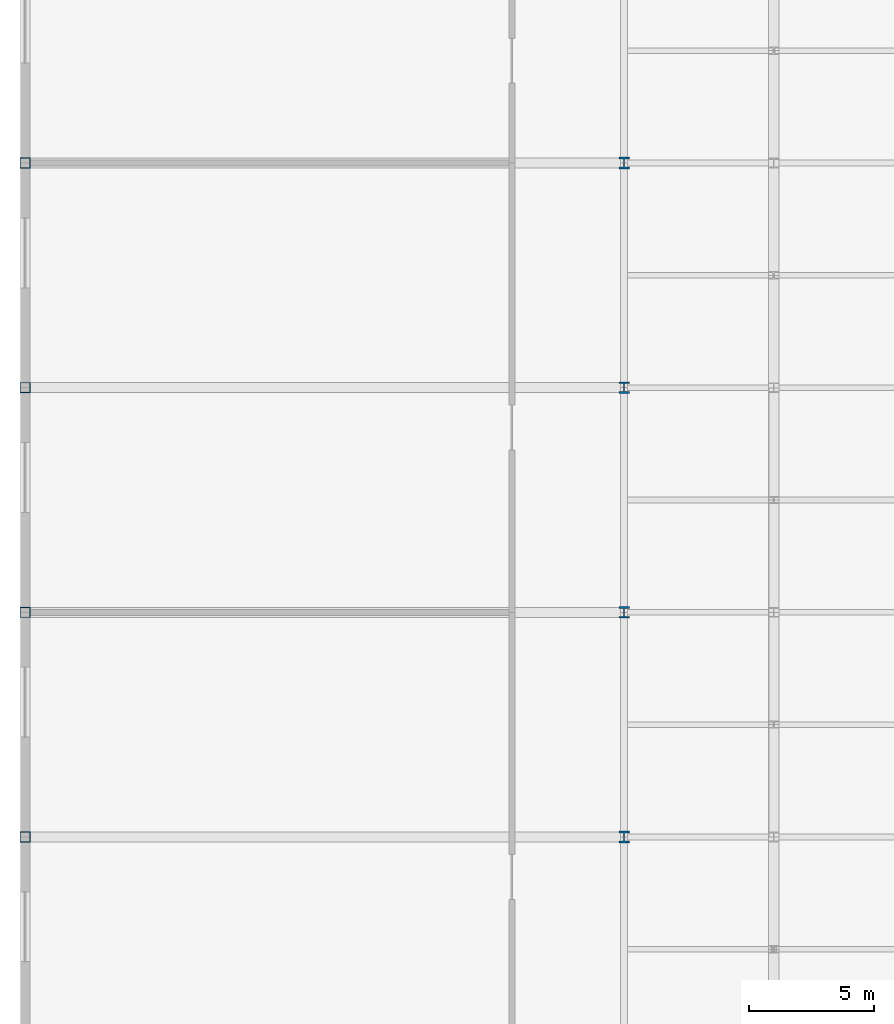
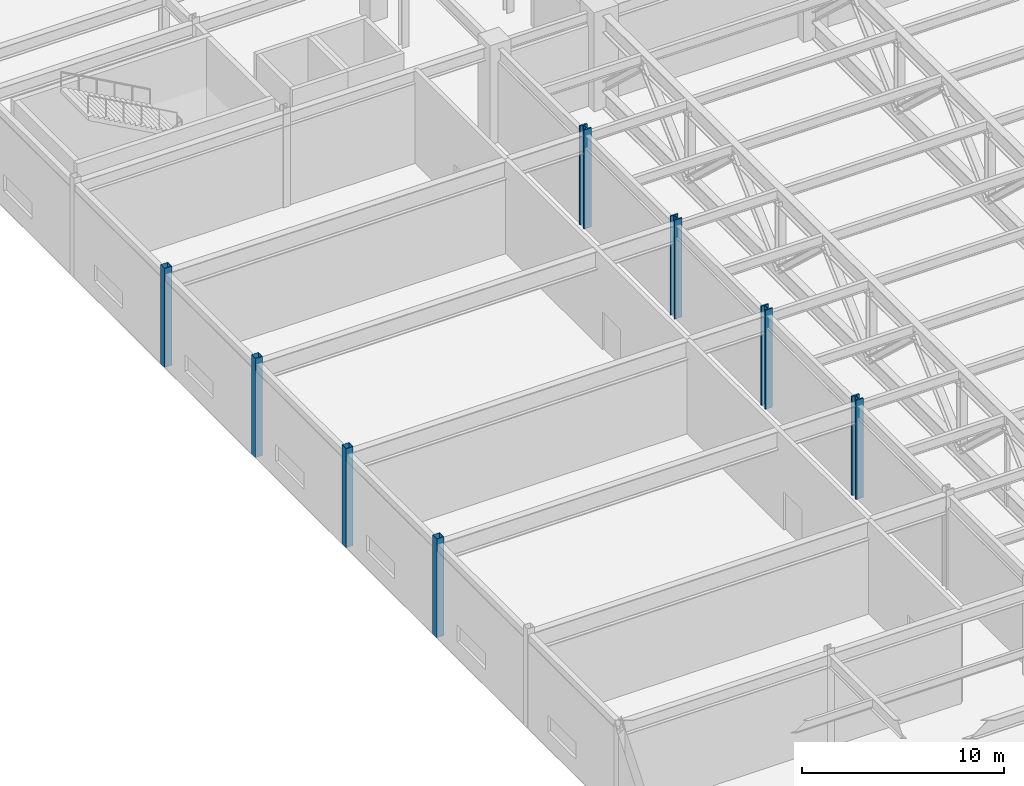
# One storey, part 3 of 108: 8 columns.
"""IFC4 building model written with IfcOpenShell, lengths in metres."""

from ifc_helpers import new_model, si_unit, direction, frame, origin, origin_2d, place, context, subcontext, project, spatial, hollow_rectangle, i_section, extrude, material, material_profile, profile_set, type_object, element, save


model = new_model("IFC4")

# Units and contexts
model_context = context("Model", 3, precision=1e-05, world=origin(), true_north=direction((0.0, 1.0)))
body_context = subcontext(model_context, "Body", "Model", "MODEL_VIEW")
ifc_project = project(units=[si_unit("LENGTHUNIT", "METRE"), si_unit("AREAUNIT", "SQUARE_METRE"), si_unit("VOLUMEUNIT", "CUBIC_METRE"), si_unit("PLANEANGLEUNIT", "RADIAN"), si_unit("MASSUNIT", "GRAM", prefix="KILO")], contexts=[model_context])

# Site, building, storey
site_placement = place(None, origin())
site = spatial("IfcSite", under=ifc_project, at=site_placement, CompositionType="ELEMENT")
building_placement = place(site_placement, origin())
building = spatial("IfcBuilding", under=site, at=building_placement, Name="Kaldorvane Square Convention Centre", CompositionType="ELEMENT")
storey_placement = place(building_placement, frame((0.0, 0.0, 12.0)))
storey = spatial("IfcBuildingStorey", under=building, at=storey_placement, Name="L02", CompositionType="ELEMENT", Elevation=12.0)

# Columns
ifc_material_1 = material(Name="Steel ASTM A500 Gr. C", Category="steel")
ifc_material_profile_1 = material_profile(ifc_material_1, hollow_rectangle(XDim=0.406402587890625, YDim=0.406402587890625, WallThickness=0.014801025390625, at=origin_2d()), Name="HSS16X16X5/8")
ifc_profile_set_1 = profile_set([ifc_material_profile_1], Name="Steel ASTM A500 Gr. C")
column_type_1 = type_object("IfcColumnType", Name="COL-HSS-16", PredefinedType="COLUMN", material=ifc_profile_set_1)
for number, where, z_axis, x_axis, name in (
    (1, (0.0, 36.0, 0.0), (0.0, 0.0, 1.0), (1.0, 0.0, 0.0), "Column SC-14 (L02)"),
    (2, (0.0, 45.0, 0.0), (0.0, 0.0, 1.0), (1.0, 0.0, 0.0), "Column SC-14 (L02)"),
    (3, (0.0, 54.0, 0.0), (0.0, 0.0, 1.0), (1.0, 0.0, 0.0), "Column SC-14 (L02)"),
    (4, (0.0, 63.0, 0.0), (0.0, 0.0, 1.0), (1.0, 0.0, 0.0), "Column SC-14 (L02)"),
):
    element("IfcColumn", number, at=place(storey_placement, frame(where, z_axis=z_axis, x_axis=x_axis)), inside=storey, type_object=column_type_1, Name=name, PredefinedType="COLUMN", context=body_context, shape_type="SweptSolid", body=[
        extrude(hollow_rectangle(XDim=0.406402587890625, YDim=0.406402587890625, WallThickness=0.014801025390625, at=origin_2d()), origin(), (0.0, 0.0, 1.0), 6.0),
    ])
ifc_material_2 = material(Name="Steel ASTM A992 Gr. 50", Category="steel")
ifc_material_profile_2 = material_profile(ifc_material_2, i_section(OverallWidth=0.424102783203125, OverallDepth=0.4741973876953125, WebThickness=0.047607421875, FlangeThickness=0.0771026611328125, FilletRadius=0.0305023193359375, at=origin_2d()), Name="W14X426")
ifc_profile_set_2 = profile_set([ifc_material_profile_2], Name="Steel ASTM A992 Gr. 50")
column_type_2 = type_object("IfcColumnType", Name="COL-STL-426", PredefinedType="COLUMN", material=ifc_profile_set_2)
for number, where, z_axis, x_axis, name in (
    (5, (24.0, 36.0, 0.0), (0.0, 0.0, 1.0), (1.0, 0.0, 0.0), "Column SC-04 (L02)"),
    (6, (24.0, 45.0, 0.0), (0.0, 0.0, 1.0), (1.0, 0.0, 0.0), "Column SC-04 (L02)"),
    (7, (24.0, 54.0, 0.0), (0.0, 0.0, 1.0), (1.0, 0.0, 0.0), "Column SC-04 (L02)"),
    (8, (24.0, 63.0, 0.0), (0.0, 0.0, 1.0), (1.0, 0.0, 0.0), "Column SC-04 (L02)"),
):
    element("IfcColumn", number, at=place(storey_placement, frame(where, z_axis=z_axis, x_axis=x_axis)), inside=storey, type_object=column_type_2, Name=name, PredefinedType="COLUMN", context=body_context, shape_type="SweptSolid", body=[
        extrude(i_section(OverallWidth=0.424102783203125, OverallDepth=0.4741973876953125, WebThickness=0.047607421875, FlangeThickness=0.0771026611328125, FilletRadius=0.0305023193359375, at=origin_2d()), origin(), (0.0, 0.0, 1.0), 6.0),
    ])

save(model, "model.ifc")
